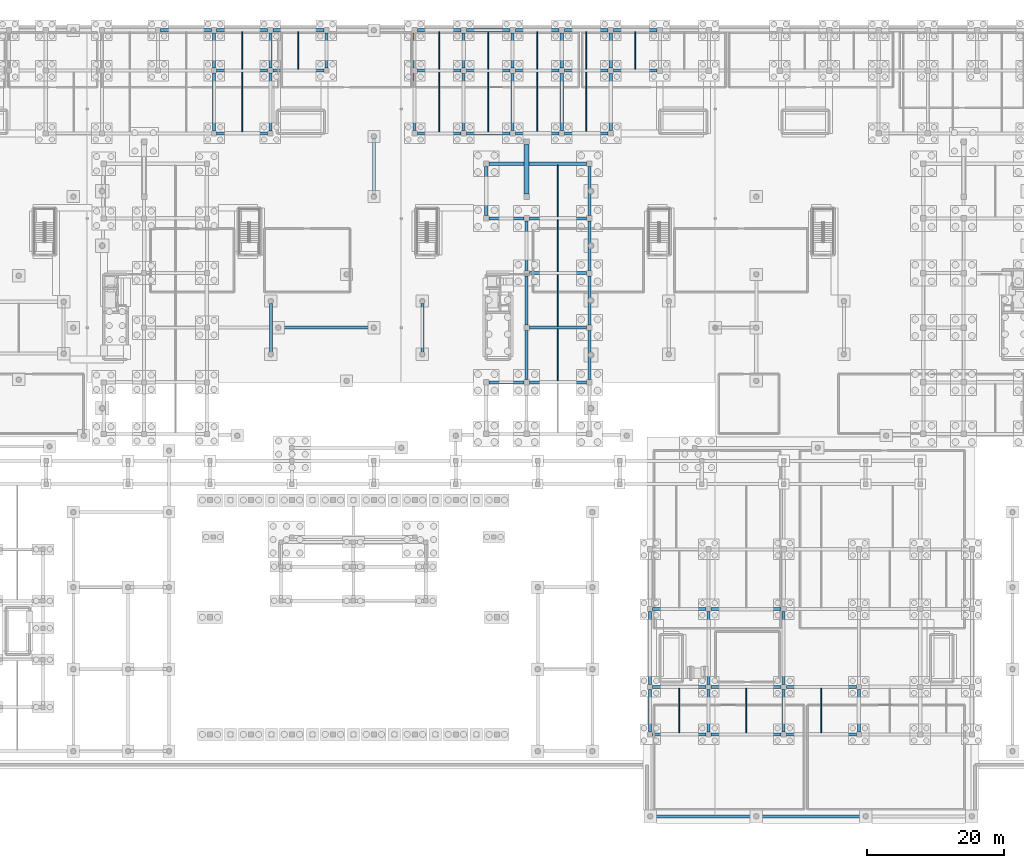
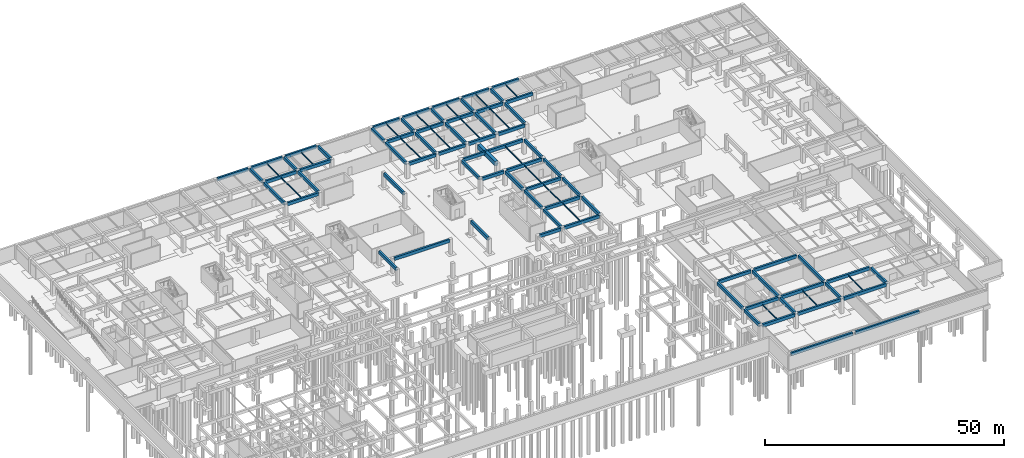
# One storey, part 16 of 35: 91 beams.
"""IFC4 building model written with IfcOpenShell, lengths in metres."""

import ifcopenshell
import ifcopenshell.guid

model = None  # the IFC model being written
_history = None  # IfcOwnerHistory: only IFC2X3 demands one
_inside = {}  # id of a spatial element -> (the spatial element, [elements in it])
_under = {}  # id of a project, library or spatial element -> (it, [spatial elements below it])
_declared = {}  # id of a project -> (the project, [libraries it declares])
_typed = {}  # id of a type object -> (the type object, [elements of that type])
_made_of = {}  # id of a material, layer set ... -> (it, [elements and type objects made of it])


def new_model(schema):
    """Start an empty IFC model of exactly this schema.

    Asked for "IFC4X3", IfcOpenShell would pick the latest addendum, in which some entities
    have other attributes; the version numbers below select the first issue.
    IFC2X3 requires an IfcOwnerHistory on every rooted entity: one is made here for all.
    """
    global model, _history
    if schema == "IFC4X3":
        model = ifcopenshell.file(schema_version=(4, 3, 0, 0))
    else:
        model = ifcopenshell.file(schema=schema)
    _inside.clear()
    _under.clear()
    _declared.clear()
    _typed.clear()
    _made_of.clear()
    _history = None
    if model.schema == "IFC2X3":
        org = make("IfcOrganization", Name="unknown")
        user = make(
            "IfcPersonAndOrganization",
            ThePerson=make("IfcPerson", FamilyName="unknown"),
            TheOrganization=org,
        )
        app = make(
            "IfcApplication",
            ApplicationDeveloper=org,
            Version="unknown",
            ApplicationFullName="unknown",
            ApplicationIdentifier="unknown",
        )
        _history = make(
            "IfcOwnerHistory",
            OwningUser=user,
            OwningApplication=app,
            ChangeAction="ADDED",
            CreationDate=0,
        )
    return model


def make(cls, **values):
    """One entity of the class cls with the attributes given. An attribute that is None is left unset."""
    return model.create_entity(
        cls, **{name: value for name, value in values.items() if value is not None}
    )


def rooted(cls, **values):
    """An entity with a GlobalId (a new one), such as an element, a storey or a relation."""
    return make(cls, GlobalId=ifcopenshell.guid.new(), OwnerHistory=_history, **values)


def si_unit(unit_type, name, prefix=None):
    """IfcSIUnit, for example si_unit("LENGTHUNIT", "METRE", prefix="MILLI")."""
    return make("IfcSIUnit", UnitType=unit_type, Prefix=prefix, Name=name)


def assignment(units):
    """IfcUnitAssignment: the units of a project."""
    return None if units is None else make("IfcUnitAssignment", Units=units)


def point(xyz):
    """IfcCartesianPoint."""
    return None if xyz is None else make("IfcCartesianPoint", Coordinates=xyz)


def direction(xyz):
    """IfcDirection."""
    return None if xyz is None else make("IfcDirection", DirectionRatios=xyz)


def frame(location, z_axis=None, x_axis=None):
    """IfcAxis2Placement3D, a coordinate frame: its origin and axes. An axis left out is left unset."""
    return make(
        "IfcAxis2Placement3D",
        Location=point(location),
        Axis=direction(z_axis),
        RefDirection=direction(x_axis),
    )


def frame_2d(location, x_axis=None):
    """IfcAxis2Placement2D, a coordinate frame in the plane: its origin and x axis."""
    return make(
        "IfcAxis2Placement2D", Location=point(location), RefDirection=direction(x_axis)
    )


def origin():
    """The frame at (0, 0, 0) with its axes left unset."""
    return frame((0.0, 0.0, 0.0))


def origin_2d():
    """The frame at (0, 0) in the plane with its x axis left unset."""
    return frame_2d((0.0, 0.0))


def place(relative_to, where):
    """IfcLocalPlacement: puts the frame where relative to a parent placement (None: the world)."""
    return make(
        "IfcLocalPlacement", PlacementRelTo=relative_to, RelativePlacement=where
    )


def context(
    kind, dimensions, precision=None, world=None, true_north=None, identifier=None
):
    """IfcGeometricRepresentationContext, for example the 3D "Model" context."""
    return make(
        "IfcGeometricRepresentationContext",
        ContextIdentifier=identifier,
        ContextType=kind,
        CoordinateSpaceDimension=dimensions,
        Precision=precision,
        WorldCoordinateSystem=world,
        TrueNorth=true_north,
    )


def subcontext(parent, identifier, kind, view, scale=None):
    """IfcGeometricRepresentationSubContext, for example "Body" below "Model"."""
    return make(
        "IfcGeometricRepresentationSubContext",
        ContextIdentifier=identifier,
        ContextType=kind,
        ParentContext=parent,
        TargetScale=scale,
        TargetView=view,
    )


def project(units=None, contexts=None):
    """IfcProject with its units and contexts."""
    return rooted(
        "IfcProject",
        Name="project",
        RepresentationContexts=contexts,
        UnitsInContext=assignment(units),
    )


def spatial(cls, under=None, at=None, **own):
    """A site, building, storey or space (cls), placed at a placement, below another one or the project."""
    s = rooted(cls, ObjectPlacement=at, **own)
    if under is not None:
        _under.setdefault(under.id(), (under, []))[1].append(s)
    return s


def profile(cls, at=None, kind="AREA", **sizes):
    """A parametric profile (cls). Its sizes go by their IFC names, for example OverallWidth=200.0."""
    return make(cls, ProfileType=kind, Position=at, **sizes)


def rectangle(**sizes):
    """IfcRectangleProfileDef."""
    return profile("IfcRectangleProfileDef", **sizes)


def i_section(**sizes):
    """IfcIShapeProfileDef."""
    return profile("IfcIShapeProfileDef", **sizes)


def extrude(swept, where, along, depth):
    """IfcExtrudedAreaSolid: the profile swept, set in the frame where, extruded along a direction by depth."""
    return make(
        "IfcExtrudedAreaSolid",
        SweptArea=swept,
        Position=where,
        ExtrudedDirection=direction(along),
        Depth=depth,
    )


def shape(context_of_items, identifier, shape_type, items):
    """IfcShapeRepresentation: the items that make up one representation, for example the "Body"."""
    return make(
        "IfcShapeRepresentation",
        ContextOfItems=context_of_items,
        RepresentationIdentifier=identifier,
        RepresentationType=shape_type,
        Items=items,
    )


def material(Name=None, Category=None):
    """IfcMaterial."""
    return make("IfcMaterial", Name=Name, Category=Category)


def material_profile(
    of_material, cross_section, Name=None, Category=None, Priority=None
):
    """IfcMaterialProfile: a cross section and its material."""
    return make(
        "IfcMaterialProfile",
        Name=Name,
        Material=of_material,
        Profile=cross_section,
        Priority=Priority,
        Category=Category,
    )


def profile_set(profiles, Name=None, composite=None):
    """IfcMaterialProfileSet."""
    return make(
        "IfcMaterialProfileSet",
        Name=Name,
        MaterialProfiles=profiles,
        CompositeProfile=composite,
    )


def made_of(thing, what):
    """Note that an element or type object is made of a material, layer set ...; save() writes the relation."""
    if what is not None:
        _made_of.setdefault(what.id(), (what, []))[1].append(thing)
    return thing


def type_object(cls, material=None, **own):
    """A type object (cls), such as IfcWallType, which elements share."""
    return made_of(rooted(cls, **own), material)


def element(
    cls,
    number,
    at=None,
    inside=None,
    cuts=None,
    type_object=None,
    material=None,
    context=None,
    identifier="Body",
    shape_type=None,
    held_by="IfcProductDefinitionShape",
    body=None,
    shapes=None,
    **own,
):
    """One element of the class cls, such as IfcWall. Its Tag is "e" and its number.

    at: its placement. inside: the storey or other place that contains it. cuts: it is an
    opening in that element (IfcRelVoidsElement). A single representation is given by context,
    identifier, shape_type and body (its items); several are given by shapes. held_by: the class
    of the entity that holds the representations. save() writes the other relations.
    """
    e = rooted(cls, Tag="e%d" % number, ObjectPlacement=at, **own)
    if body is not None:
        shapes = [shape(context, identifier, shape_type, body)]
    if shapes is not None:
        e.Representation = make(held_by, Representations=shapes)
    if inside is not None:
        _inside.setdefault(inside.id(), (inside, []))[1].append(e)
    if cuts is not None:
        rooted(
            "IfcRelVoidsElement", RelatingBuildingElement=cuts, RelatedOpeningElement=e
        )
    if type_object is not None:
        _typed.setdefault(type_object.id(), (type_object, []))[1].append(e)
    return made_of(e, material)


def aggregate(whole, parts):
    """IfcRelAggregates: a whole, such as a stair, and the parts it consists of."""
    return rooted("IfcRelAggregates", RelatingObject=whole, RelatedObjects=parts)


def save(model, path):
    """Write the relations noted so far, then the file.

    IfcRelAggregates (storeys below a building ...), IfcRelContainedInSpatialStructure (elements
    in a storey), IfcRelDefinesByType, IfcRelAssociatesMaterial and IfcRelDeclares: one each for
    every whole, place, type object, material and project.
    """
    for whole, parts in _under.values():
        aggregate(whole, parts)
    for where, things in _inside.values():
        rooted(
            "IfcRelContainedInSpatialStructure",
            RelatedElements=things,
            RelatingStructure=where,
        )
    for kind, things in _typed.values():
        rooted("IfcRelDefinesByType", RelatedObjects=things, RelatingType=kind)
    for what, things in _made_of.values():
        rooted("IfcRelAssociatesMaterial", RelatedObjects=things, RelatingMaterial=what)
    for by, libraries in _declared.values():
        rooted("IfcRelDeclares", RelatingContext=by, RelatedDefinitions=libraries)
    model.write(path)


model = new_model("IFC4")

# Units and contexts
model_context = context("Model", 3, precision=1e-05, world=origin(), true_north=direction((0.0, 1.0)))
body_context = subcontext(model_context, "Body", "Model", "MODEL_VIEW")
ifc_project = project(units=[si_unit("LENGTHUNIT", "METRE"), si_unit("AREAUNIT", "SQUARE_METRE"), si_unit("VOLUMEUNIT", "CUBIC_METRE"), si_unit("PLANEANGLEUNIT", "RADIAN"), si_unit("MASSUNIT", "GRAM", prefix="KILO")], contexts=[model_context])

# Site, building, storey
site_placement = place(None, origin())
site = spatial("IfcSite", under=ifc_project, at=site_placement, CompositionType="ELEMENT")
building_placement = place(site_placement, origin())
building = spatial("IfcBuilding", under=site, at=building_placement, Name="Keldmere Railside Commons", CompositionType="ELEMENT")
storey_placement = place(building_placement, frame((0.0, 0.0, -3.840087890625)))
storey = spatial("IfcBuildingStorey", under=building, at=storey_placement, Name="B1", CompositionType="ELEMENT", Elevation=-3.840087890625)

# Beams
ifc_material_1 = material(Name="Concrete H-35 (C35/45)", Category="concrete")
ifc_material_profile_1 = material_profile(ifc_material_1, rectangle(XDim=0.449951171875, YDim=0.800048828125, at=origin_2d()), Name="RC-450x800")
ifc_profile_set_1 = profile_set([ifc_material_profile_1], Name="Concrete H-35 (C35/45)")
beam_type_1 = type_object("IfcBeamType", Name="Basement & Podium RC Girder 450x800", PredefinedType="BEAM", material=ifc_profile_set_1)
beam_1_placement = place(storey_placement, frame((128.77490234375, 0.449951171875, 3.440185546875), z_axis=(1.0, 0.0, 0.0), x_axis=(0.0, 1.0, 0.0)))
element("IfcBeam", 1, at=beam_1_placement, inside=storey, type_object=beam_type_1, Name="BG-1 BM-B1-0006", PredefinedType="BEAM", context=body_context, shape_type="SweptSolid", body=[
    extrude(rectangle(XDim=0.449951171875, YDim=0.800048828125, at=origin_2d()), origin(), (0.0, 0.0, 1.0), 14.900146484375),
])
beam_2_placement = place(storey_placement, frame((144.324951171875, 0.449951171875, 3.440185546875), z_axis=(1.0, 0.0, 0.0), x_axis=(0.0, 1.0, 0.0)))
element("IfcBeam", 2, at=beam_2_placement, inside=storey, type_object=beam_type_1, Name="BG-1 BM-B1-0007", PredefinedType="BEAM", context=body_context, shape_type="SweptSolid", body=[
    extrude(rectangle(XDim=0.449951171875, YDim=0.800048828125, at=origin_2d()), origin(), (0.0, 0.0, 1.0), 15.35009765625),
])
beam_3_placement = place(storey_placement, frame((128.824951171875, 12.449951171875, 3.440185546875), z_axis=(1.0, 0.0, 0.0), x_axis=(0.0, 1.0, 0.0)))
element("IfcBeam", 3, at=beam_3_placement, inside=storey, type_object=beam_type_1, Name="BG-1 BM-B1-0015", PredefinedType="BEAM", context=body_context, shape_type="SweptSolid", body=[
    extrude(rectangle(XDim=0.449951171875, YDim=0.800048828125, at=origin_2d()), origin(), (0.0, 0.0, 1.0), 7.800048828125),
])
for number, where, z_axis, x_axis, name in (
    (4, (137.375, 12.449951171875, 3.440185546875), (1.0, 0.0, 0.0), (0.0, 1.0, 0.0), "BG-1 BM-B1-0016"),
    (5, (148.375, 12.449951171875, 3.440185546875), (1.0, 0.0, 0.0), (0.0, 1.0, 0.0), "BG-1 BM-B1-0017"),
):
    element("IfcBeam", number, at=place(storey_placement, frame(where, z_axis=z_axis, x_axis=x_axis)), inside=storey, type_object=beam_type_1, Name=name, PredefinedType="BEAM", context=body_context, shape_type="SweptSolid", body=[
        extrude(rectangle(XDim=0.449951171875, YDim=0.800048828125, at=origin_2d()), origin(), (0.0, 0.0, 1.0), 10.25),
    ])
beam_4_placement = place(storey_placement, frame((128.824951171875, 19.39990234375, 3.440185546875), z_axis=(1.0, 0.0, 0.0), x_axis=(0.0, 1.0, 0.0)))
element("IfcBeam", 6, at=beam_4_placement, inside=storey, type_object=beam_type_1, Name="BG-1 BM-B1-0024", PredefinedType="BEAM", context=body_context, shape_type="SweptSolid", body=[
    extrude(rectangle(XDim=0.449951171875, YDim=0.800048828125, at=origin_2d()), origin(), (0.0, 0.0, 1.0), 7.800048828125),
])
for number, where, z_axis, x_axis, name in (
    (7, (137.375, 19.39990234375, 3.440185546875), (1.0, 0.0, 0.0), (0.0, 1.0, 0.0), "BG-1 BM-B1-0025"),
    (8, (148.375, 19.39990234375, 3.440185546875), (1.0, 0.0, 0.0), (0.0, 1.0, 0.0), "BG-1 BM-B1-0026"),
):
    element("IfcBeam", number, at=place(storey_placement, frame(where, z_axis=z_axis, x_axis=x_axis)), inside=storey, type_object=beam_type_1, Name=name, PredefinedType="BEAM", context=body_context, shape_type="SweptSolid", body=[
        extrude(rectangle(XDim=0.449951171875, YDim=0.800048828125, at=origin_2d()), origin(), (0.0, 0.0, 1.0), 10.25),
    ])
beam_5_placement = place(storey_placement, frame((128.824951171875, 30.800048828125, 3.440185546875), z_axis=(1.0, 0.0, 0.0), x_axis=(0.0, 1.0, 0.0)))
element("IfcBeam", 9, at=beam_5_placement, inside=storey, type_object=beam_type_1, Name="BG-1 BM-B1-0037", PredefinedType="BEAM", context=body_context, shape_type="SweptSolid", body=[
    extrude(rectangle(XDim=0.449951171875, YDim=0.800048828125, at=origin_2d()), origin(), (0.0, 0.0, 1.0), 7.800048828125),
])
beam_6_placement = place(storey_placement, frame((137.375, 30.800048828125, 3.440185546875), z_axis=(1.0, 0.0, 0.0), x_axis=(0.0, 1.0, 0.0)))
element("IfcBeam", 10, at=beam_6_placement, inside=storey, type_object=beam_type_1, Name="BG-1 BM-B1-0038", PredefinedType="BEAM", context=body_context, shape_type="SweptSolid", body=[
    extrude(rectangle(XDim=0.449951171875, YDim=0.800048828125, at=origin_2d()), origin(), (0.0, 0.0, 1.0), 10.25),
])
beam_7_placement = place(storey_placement, frame((104.85009765625, 64.0, 3.440185546875), z_axis=(1.0, 0.0, 0.0), x_axis=(0.0, 1.0, 0.0)))
element("IfcBeam", 11, at=beam_7_placement, inside=storey, type_object=beam_type_1, Name="BG-1 BM-B1-0107", PredefinedType="BEAM", context=body_context, shape_type="SweptSolid", body=[
    extrude(rectangle(XDim=0.449951171875, YDim=0.800048828125, at=origin_2d()), origin(), (0.0, 0.0, 1.0), 5.099853515625),
])
beam_8_placement = place(storey_placement, frame((110.75, 64.0, 3.440185546875), z_axis=(1.0, 0.0, 0.0), x_axis=(0.0, 1.0, 0.0)))
element("IfcBeam", 12, at=beam_8_placement, inside=storey, type_object=beam_type_1, Name="BG-1 BM-B1-0108", PredefinedType="BEAM", context=body_context, shape_type="SweptSolid", body=[
    extrude(rectangle(XDim=0.449951171875, YDim=0.800048828125, at=origin_2d()), origin(), (0.0, 0.0, 1.0), 8.39990234375),
])
beam_9_placement = place(storey_placement, frame((74.324951171875, 72.0, 3.440185546875), z_axis=(1.0, 0.0, 0.0), x_axis=(0.0, 1.0, 0.0)))
element("IfcBeam", 13, at=beam_9_placement, inside=storey, type_object=beam_type_1, Name="BG-1 BM-B1-0114", PredefinedType="BEAM", context=body_context, shape_type="SweptSolid", body=[
    extrude(rectangle(XDim=0.449951171875, YDim=0.800048828125, at=origin_2d()), origin(), (0.0, 0.0, 1.0), 13.35009765625),
])
for number, where, z_axis, x_axis, name in (
    (14, (110.75, 72.0, 3.440185546875), (1.0, 0.0, 0.0), (0.0, 1.0, 0.0), "BG-1 BM-B1-0115"),
    (15, (110.75, 80.0, 3.440185546875), (1.0, 0.0, 0.0), (0.0, 1.0, 0.0), "BG-1 BM-B1-0121"),
):
    element("IfcBeam", number, at=place(storey_placement, frame(where, z_axis=z_axis, x_axis=x_axis)), inside=storey, type_object=beam_type_1, Name=name, PredefinedType="BEAM", context=body_context, shape_type="SweptSolid", body=[
        extrude(rectangle(XDim=0.449951171875, YDim=0.800048828125, at=origin_2d()), origin(), (0.0, 0.0, 1.0), 8.39990234375),
    ])
beam_10_placement = place(storey_placement, frame((104.85009765625, 88.0, 3.440185546875), z_axis=(1.0, 0.0, 0.0), x_axis=(0.0, 1.0, 0.0)))
element("IfcBeam", 16, at=beam_10_placement, inside=storey, type_object=beam_type_1, Name="BG-1 BM-B1-0127", PredefinedType="BEAM", context=body_context, shape_type="SweptSolid", body=[
    extrude(rectangle(XDim=0.449951171875, YDim=0.800048828125, at=origin_2d()), origin(), (0.0, 0.0, 1.0), 5.099853515625),
])
beam_11_placement = place(storey_placement, frame((110.75, 88.0, 3.440185546875), z_axis=(1.0, 0.0, 0.0), x_axis=(0.0, 1.0, 0.0)))
element("IfcBeam", 17, at=beam_11_placement, inside=storey, type_object=beam_type_1, Name="BG-1 BM-B1-0128", PredefinedType="BEAM", context=body_context, shape_type="SweptSolid", body=[
    extrude(rectangle(XDim=0.449951171875, YDim=0.800048828125, at=origin_2d()), origin(), (0.0, 0.0, 1.0), 8.39990234375),
])
beam_12_placement = place(storey_placement, frame((104.85009765625, 96.0, 3.440185546875), z_axis=(1.0, 0.0, 0.0), x_axis=(0.0, 1.0, 0.0)))
element("IfcBeam", 18, at=beam_12_placement, inside=storey, type_object=beam_type_1, Name="BG-1 BM-B1-0133", PredefinedType="BEAM", context=body_context, shape_type="SweptSolid", body=[
    extrude(rectangle(XDim=0.449951171875, YDim=0.800048828125, at=origin_2d()), origin(), (0.0, 0.0, 1.0), 14.2998046875),
])
beam_13_placement = place(storey_placement, frame((64.985107421875, 100.449951171875, 3.440185546875), z_axis=(1.0, 0.0, 0.0), x_axis=(0.0, 1.0, 0.0)))
element("IfcBeam", 19, at=beam_13_placement, inside=storey, type_object=beam_type_1, Name="BG-1 BM-B1-0138", PredefinedType="BEAM", context=body_context, shape_type="SweptSolid", body=[
    extrude(rectangle(XDim=0.449951171875, YDim=0.800048828125, at=origin_2d()), origin(), (0.0, 0.0, 1.0), 7.469970703125),
])
beam_14_placement = place(storey_placement, frame((94.35009765625, 100.449951171875, 3.440185546875), z_axis=(1.0, 0.0, 0.0), x_axis=(0.0, 1.0, 0.0)))
element("IfcBeam", 20, at=beam_14_placement, inside=storey, type_object=beam_type_1, Name="BG-1 BM-B1-0139", PredefinedType="BEAM", context=body_context, shape_type="SweptSolid", body=[
    extrude(rectangle(XDim=0.449951171875, YDim=0.800048828125, at=origin_2d()), origin(), (0.0, 0.0, 1.0), 6.3828125),
])
beam_15_placement = place(storey_placement, frame((101.532958984375, 100.449951171875, 3.440185546875), z_axis=(1.0, 0.0, 0.0), x_axis=(0.0, 1.0, 0.0)))
element("IfcBeam", 21, at=beam_15_placement, inside=storey, type_object=beam_type_1, Name="BG-1 BM-B1-0140", PredefinedType="BEAM", context=body_context, shape_type="SweptSolid", body=[
    extrude(rectangle(XDim=0.449951171875, YDim=0.800048828125, at=origin_2d()), origin(), (0.0, 0.0, 1.0), 6.384033203125),
])
for number, where, z_axis, x_axis, name in (
    (22, (108.717041015625, 100.449951171875, 3.440185546875), (1.0, 0.0, 0.0), (0.0, 1.0, 0.0), "BG-1 BM-B1-0141"),
    (23, (115.89990234375, 100.449951171875, 3.440185546875), (1.0, 0.0, 0.0), (0.0, 1.0, 0.0), "BG-1 BM-B1-0142"),
):
    element("IfcBeam", number, at=place(storey_placement, frame(where, z_axis=z_axis, x_axis=x_axis)), inside=storey, type_object=beam_type_1, Name=name, PredefinedType="BEAM", context=body_context, shape_type="SweptSolid", body=[
        extrude(rectangle(XDim=0.449951171875, YDim=0.800048828125, at=origin_2d()), origin(), (0.0, 0.0, 1.0), 6.383056640625),
    ])
for number, where, z_axis, x_axis, name in (
    (24, (64.985107421875, 109.64990234375, 3.440185546875), (1.0, 0.0, 0.0), (0.0, 1.0, 0.0), "BG-1 BM-B1-0151"),
    (25, (73.205078125, 109.64990234375, 3.440185546875), (1.0, 0.0, 0.0), (0.0, 1.0, 0.0), "BG-1 BM-B1-0152"),
):
    element("IfcBeam", number, at=place(storey_placement, frame(where, z_axis=z_axis, x_axis=x_axis)), inside=storey, type_object=beam_type_1, Name=name, PredefinedType="BEAM", context=body_context, shape_type="SweptSolid", body=[
        extrude(rectangle(XDim=0.449951171875, YDim=0.800048828125, at=origin_2d()), origin(), (0.0, 0.0, 1.0), 7.469970703125),
    ])
beam_16_placement = place(storey_placement, frame((94.35009765625, 109.64990234375, 3.440185546875), z_axis=(1.0, 0.0, 0.0), x_axis=(0.0, 1.0, 0.0)))
element("IfcBeam", 26, at=beam_16_placement, inside=storey, type_object=beam_type_1, Name="BG-1 BM-B1-0153", PredefinedType="BEAM", context=body_context, shape_type="SweptSolid", body=[
    extrude(rectangle(XDim=0.449951171875, YDim=0.800048828125, at=origin_2d()), origin(), (0.0, 0.0, 1.0), 6.3828125),
])
beam_17_placement = place(storey_placement, frame((101.532958984375, 109.64990234375, 3.440185546875), z_axis=(1.0, 0.0, 0.0), x_axis=(0.0, 1.0, 0.0)))
element("IfcBeam", 27, at=beam_17_placement, inside=storey, type_object=beam_type_1, Name="BG-1 BM-B1-0154", PredefinedType="BEAM", context=body_context, shape_type="SweptSolid", body=[
    extrude(rectangle(XDim=0.449951171875, YDim=0.800048828125, at=origin_2d()), origin(), (0.0, 0.0, 1.0), 6.384033203125),
])
for number, where, z_axis, x_axis, name in (
    (28, (108.717041015625, 109.64990234375, 3.440185546875), (1.0, 0.0, 0.0), (0.0, 1.0, 0.0), "BG-1 BM-B1-0155"),
    (29, (115.89990234375, 109.64990234375, 3.440185546875), (1.0, 0.0, 0.0), (0.0, 1.0, 0.0), "BG-1 BM-B1-0156"),
):
    element("IfcBeam", number, at=place(storey_placement, frame(where, z_axis=z_axis, x_axis=x_axis)), inside=storey, type_object=beam_type_1, Name=name, PredefinedType="BEAM", context=body_context, shape_type="SweptSolid", body=[
        extrude(rectangle(XDim=0.449951171875, YDim=0.800048828125, at=origin_2d()), origin(), (0.0, 0.0, 1.0), 6.383056640625),
    ])
beam_18_placement = place(storey_placement, frame((123.0830078125, 109.64990234375, 3.440185546875), z_axis=(1.0, 0.0, 0.0), x_axis=(0.0, 1.0, 0.0)))
element("IfcBeam", 30, at=beam_18_placement, inside=storey, type_object=beam_type_1, Name="BG-1 BM-B1-0157", PredefinedType="BEAM", context=body_context, shape_type="SweptSolid", body=[
    extrude(rectangle(XDim=0.449951171875, YDim=0.800048828125, at=origin_2d()), origin(), (0.0, 0.0, 1.0), 6.384033203125),
])
beam_19_placement = place(storey_placement, frame((56.764892578125, 115.550048828125, 3.440185546875), z_axis=(1.0, 0.0, 0.0), x_axis=(0.0, 1.0, 0.0)))
element("IfcBeam", 31, at=beam_19_placement, inside=storey, type_object=beam_type_1, Name="BG-1 BM-B1-0168", PredefinedType="BEAM", context=body_context, shape_type="SweptSolid", body=[
    extrude(rectangle(XDim=0.449951171875, YDim=0.800048828125, at=origin_2d()), origin(), (0.0, 0.0, 1.0), 7.47021484375),
])
for number, where, z_axis, x_axis, name in (
    (32, (64.985107421875, 115.550048828125, 3.440185546875), (1.0, 0.0, 0.0), (0.0, 1.0, 0.0), "BG-1 BM-B1-0169"),
    (33, (73.205078125, 115.550048828125, 3.440185546875), (1.0, 0.0, 0.0), (0.0, 1.0, 0.0), "BG-1 BM-B1-0170"),
):
    element("IfcBeam", number, at=place(storey_placement, frame(where, z_axis=z_axis, x_axis=x_axis)), inside=storey, type_object=beam_type_1, Name=name, PredefinedType="BEAM", context=body_context, shape_type="SweptSolid", body=[
        extrude(rectangle(XDim=0.449951171875, YDim=0.800048828125, at=origin_2d()), origin(), (0.0, 0.0, 1.0), 7.469970703125),
    ])
beam_20_placement = place(storey_placement, frame((94.35009765625, 115.550048828125, 3.440185546875), z_axis=(1.0, 0.0, 0.0), x_axis=(0.0, 1.0, 0.0)))
element("IfcBeam", 34, at=beam_20_placement, inside=storey, type_object=beam_type_1, Name="BG-1 BM-B1-0171", PredefinedType="BEAM", context=body_context, shape_type="SweptSolid", body=[
    extrude(rectangle(XDim=0.449951171875, YDim=0.800048828125, at=origin_2d()), origin(), (0.0, 0.0, 1.0), 6.3828125),
])
beam_21_placement = place(storey_placement, frame((101.532958984375, 115.550048828125, 3.440185546875), z_axis=(1.0, 0.0, 0.0), x_axis=(0.0, 1.0, 0.0)))
element("IfcBeam", 35, at=beam_21_placement, inside=storey, type_object=beam_type_1, Name="BG-1 BM-B1-0172", PredefinedType="BEAM", context=body_context, shape_type="SweptSolid", body=[
    extrude(rectangle(XDim=0.449951171875, YDim=0.800048828125, at=origin_2d()), origin(), (0.0, 0.0, 1.0), 6.384033203125),
])
for number, where, z_axis, x_axis, name in (
    (36, (108.717041015625, 115.550048828125, 3.440185546875), (1.0, 0.0, 0.0), (0.0, 1.0, 0.0), "BG-1 BM-B1-0173"),
    (37, (115.89990234375, 115.550048828125, 3.440185546875), (1.0, 0.0, 0.0), (0.0, 1.0, 0.0), "BG-1 BM-B1-0174"),
):
    element("IfcBeam", number, at=place(storey_placement, frame(where, z_axis=z_axis, x_axis=x_axis)), inside=storey, type_object=beam_type_1, Name=name, PredefinedType="BEAM", context=body_context, shape_type="SweptSolid", body=[
        extrude(rectangle(XDim=0.449951171875, YDim=0.800048828125, at=origin_2d()), origin(), (0.0, 0.0, 1.0), 6.383056640625),
    ])
beam_22_placement = place(storey_placement, frame((123.0830078125, 115.550048828125, 3.440185546875), z_axis=(1.0, 0.0, 0.0), x_axis=(0.0, 1.0, 0.0)))
element("IfcBeam", 38, at=beam_22_placement, inside=storey, type_object=beam_type_1, Name="BG-1 BM-B1-0175", PredefinedType="BEAM", context=body_context, shape_type="SweptSolid", body=[
    extrude(rectangle(XDim=0.449951171875, YDim=0.800048828125, at=origin_2d()), origin(), (0.0, 0.0, 1.0), 6.384033203125),
])
beam_23_placement = place(storey_placement, frame((64.610107421875, 100.824951171875, 3.440185546875), z_axis=(0.0, 1.0, 0.0), x_axis=(-1.0, 0.0, 0.0)))
element("IfcBeam", 39, at=beam_23_placement, inside=storey, type_object=beam_type_1, Name="BG-1 BM-B1-0250", PredefinedType="BEAM", context=body_context, shape_type="SweptSolid", body=[
    extrude(rectangle(XDim=0.449951171875, YDim=0.800048828125, at=origin_2d()), origin(), (0.0, 0.0, 1.0), 8.449951171875),
])
beam_24_placement = place(storey_placement, frame((64.610107421875, 110.02490234375, 3.440185546875), z_axis=(0.0, 1.0, 0.0), x_axis=(-1.0, 0.0, 0.0)))
element("IfcBeam", 40, at=beam_24_placement, inside=storey, type_object=beam_type_1, Name="BG-1 BM-B1-0251", PredefinedType="BEAM", context=body_context, shape_type="SweptSolid", body=[
    extrude(rectangle(XDim=0.449951171875, YDim=0.800048828125, at=origin_2d()), origin(), (0.0, 0.0, 1.0), 5.150146484375),
])
beam_25_placement = place(storey_placement, frame((72.830078125, 100.824951171875, 3.440185546875), z_axis=(0.0, 1.0, 0.0), x_axis=(-1.0, 0.0, 0.0)))
element("IfcBeam", 41, at=beam_25_placement, inside=storey, type_object=beam_type_1, Name="BG-1 BM-B1-0252", PredefinedType="BEAM", context=body_context, shape_type="SweptSolid", body=[
    extrude(rectangle(XDim=0.449951171875, YDim=0.800048828125, at=origin_2d()), origin(), (0.0, 0.0, 1.0), 8.449951171875),
])
beam_26_placement = place(storey_placement, frame((72.830078125, 110.02490234375, 3.440185546875), z_axis=(0.0, 1.0, 0.0), x_axis=(-1.0, 0.0, 0.0)))
element("IfcBeam", 42, at=beam_26_placement, inside=storey, type_object=beam_type_1, Name="BG-1 BM-B1-0253", PredefinedType="BEAM", context=body_context, shape_type="SweptSolid", body=[
    extrude(rectangle(XDim=0.449951171875, YDim=0.800048828125, at=origin_2d()), origin(), (0.0, 0.0, 1.0), 5.150146484375),
])
beam_27_placement = place(storey_placement, frame((72.9150390625, 68.425048828125, 3.440185546875), z_axis=(0.0, 1.0, 0.0), x_axis=(-1.0, 0.0, 0.0)))
element("IfcBeam", 43, at=beam_27_placement, inside=storey, type_object=beam_type_1, Name="BG-1 BM-B1-0254", PredefinedType="BEAM", context=body_context, shape_type="SweptSolid", body=[
    extrude(rectangle(XDim=0.449951171875, YDim=0.800048828125, at=origin_2d()), origin(), (0.0, 0.0, 1.0), 7.14990234375),
])
beam_28_placement = place(storey_placement, frame((81.050048828125, 110.02490234375, 3.440185546875), z_axis=(0.0, 1.0, 0.0), x_axis=(-1.0, 0.0, 0.0)))
element("IfcBeam", 44, at=beam_28_placement, inside=storey, type_object=beam_type_1, Name="BG-1 BM-B1-0258", PredefinedType="BEAM", context=body_context, shape_type="SweptSolid", body=[
    extrude(rectangle(XDim=0.449951171875, YDim=0.800048828125, at=origin_2d()), origin(), (0.0, 0.0, 1.0), 5.150146484375),
])
beam_29_placement = place(storey_placement, frame((88.0, 91.52490234375, 3.440185546875), z_axis=(0.0, 1.0, 0.0), x_axis=(-1.0, 0.0, 0.0)))
element("IfcBeam", 45, at=beam_29_placement, inside=storey, type_object=beam_type_1, Name="BG-1 BM-B1-0262", PredefinedType="BEAM", context=body_context, shape_type="SweptSolid", body=[
    extrude(rectangle(XDim=0.449951171875, YDim=0.800048828125, at=origin_2d()), origin(), (0.0, 0.0, 1.0), 8.150146484375),
])
beam_30_placement = place(storey_placement, frame((93.949951171875, 100.85009765625, 3.440185546875), z_axis=(0.0, 1.0, 0.0), x_axis=(-1.0, 0.0, 0.0)))
element("IfcBeam", 46, at=beam_30_placement, inside=storey, type_object=beam_type_1, Name="BG-1 BM-B1-0263", PredefinedType="BEAM", context=body_context, shape_type="SweptSolid", body=[
    extrude(rectangle(XDim=0.449951171875, YDim=0.800048828125, at=origin_2d()), origin(), (0.0, 0.0, 1.0), 8.39990234375),
])
beam_31_placement = place(storey_placement, frame((93.949951171875, 110.050048828125, 3.440185546875), z_axis=(0.0, 1.0, 0.0), x_axis=(-1.0, 0.0, 0.0)))
element("IfcBeam", 47, at=beam_31_placement, inside=storey, type_object=beam_type_1, Name="BG-1 BM-B1-0264", PredefinedType="BEAM", context=body_context, shape_type="SweptSolid", body=[
    extrude(rectangle(XDim=0.449951171875, YDim=0.800048828125, at=origin_2d()), origin(), (0.0, 0.0, 1.0), 5.099853515625),
])
beam_32_placement = place(storey_placement, frame((95.0849609375, 68.425048828125, 3.440185546875), z_axis=(0.0, 1.0, 0.0), x_axis=(-1.0, 0.0, 0.0)))
element("IfcBeam", 48, at=beam_32_placement, inside=storey, type_object=beam_type_1, Name="BG-1 BM-B1-0265", PredefinedType="BEAM", context=body_context, shape_type="SweptSolid", body=[
    extrude(rectangle(XDim=0.449951171875, YDim=0.800048828125, at=origin_2d()), origin(), (0.0, 0.0, 1.0), 7.14990234375),
])
beam_33_placement = place(storey_placement, frame((101.133056640625, 100.85009765625, 3.440185546875), z_axis=(0.0, 1.0, 0.0), x_axis=(-1.0, 0.0, 0.0)))
element("IfcBeam", 49, at=beam_33_placement, inside=storey, type_object=beam_type_1, Name="BG-1 BM-B1-0269", PredefinedType="BEAM", context=body_context, shape_type="SweptSolid", body=[
    extrude(rectangle(XDim=0.449951171875, YDim=0.800048828125, at=origin_2d()), origin(), (0.0, 0.0, 1.0), 8.39990234375),
])
beam_34_placement = place(storey_placement, frame((101.133056640625, 110.050048828125, 3.440185546875), z_axis=(0.0, 1.0, 0.0), x_axis=(-1.0, 0.0, 0.0)))
element("IfcBeam", 50, at=beam_34_placement, inside=storey, type_object=beam_type_1, Name="BG-1 BM-B1-0270", PredefinedType="BEAM", context=body_context, shape_type="SweptSolid", body=[
    extrude(rectangle(XDim=0.449951171875, YDim=0.800048828125, at=origin_2d()), origin(), (0.0, 0.0, 1.0), 5.099853515625),
])
beam_35_placement = place(storey_placement, frame((104.449951171875, 88.39990234375, 3.440185546875), z_axis=(0.0, 1.0, 0.0), x_axis=(-1.0, 0.0, 0.0)))
element("IfcBeam", 51, at=beam_35_placement, inside=storey, type_object=beam_type_1, Name="BG-1 BM-B1-0272", PredefinedType="BEAM", context=body_context, shape_type="SweptSolid", body=[
    extrude(rectangle(XDim=0.449951171875, YDim=0.800048828125, at=origin_2d()), origin(), (0.0, 0.0, 1.0), 7.2001953125),
])
beam_36_placement = place(storey_placement, frame((108.31689453125, 100.85009765625, 3.440185546875), z_axis=(0.0, 1.0, 0.0), x_axis=(-1.0, 0.0, 0.0)))
element("IfcBeam", 52, at=beam_36_placement, inside=storey, type_object=beam_type_1, Name="BG-1 BM-B1-0273", PredefinedType="BEAM", context=body_context, shape_type="SweptSolid", body=[
    extrude(rectangle(XDim=0.449951171875, YDim=0.800048828125, at=origin_2d()), origin(), (0.0, 0.0, 1.0), 8.39990234375),
])
beam_37_placement = place(storey_placement, frame((108.31689453125, 110.050048828125, 3.440185546875), z_axis=(0.0, 1.0, 0.0), x_axis=(-1.0, 0.0, 0.0)))
element("IfcBeam", 53, at=beam_37_placement, inside=storey, type_object=beam_type_1, Name="BG-1 BM-B1-0274", PredefinedType="BEAM", context=body_context, shape_type="SweptSolid", body=[
    extrude(rectangle(XDim=0.449951171875, YDim=0.800048828125, at=origin_2d()), origin(), (0.0, 0.0, 1.0), 5.099853515625),
])
for number, where, z_axis, x_axis, name in (
    (54, (110.35009765625, 64.39990234375, 3.440185546875), (0.0, 1.0, 0.0), (-1.0, 0.0, 0.0), "BG-1 BM-B1-0276"),
    (55, (110.35009765625, 72.39990234375, 3.440185546875), (0.0, 1.0, 0.0), (-1.0, 0.0, 0.0), "BG-1 BM-B1-0277"),
    (56, (110.35009765625, 80.39990234375, 3.440185546875), (0.0, 1.0, 0.0), (-1.0, 0.0, 0.0), "BG-1 BM-B1-0278"),
):
    element("IfcBeam", number, at=place(storey_placement, frame(where, z_axis=z_axis, x_axis=x_axis)), inside=storey, type_object=beam_type_1, Name=name, PredefinedType="BEAM", context=body_context, shape_type="SweptSolid", body=[
        extrude(rectangle(XDim=0.449951171875, YDim=0.800048828125, at=origin_2d()), origin(), (0.0, 0.0, 1.0), 7.2001953125),
    ])
beam_38_placement = place(storey_placement, frame((115.5, 100.85009765625, 3.440185546875), z_axis=(0.0, 1.0, 0.0), x_axis=(-1.0, 0.0, 0.0)))
element("IfcBeam", 57, at=beam_38_placement, inside=storey, type_object=beam_type_1, Name="BG-1 BM-B1-0282", PredefinedType="BEAM", context=body_context, shape_type="SweptSolid", body=[
    extrude(rectangle(XDim=0.449951171875, YDim=0.800048828125, at=origin_2d()), origin(), (0.0, 0.0, 1.0), 8.39990234375),
])
beam_39_placement = place(storey_placement, frame((115.5, 110.050048828125, 3.440185546875), z_axis=(0.0, 1.0, 0.0), x_axis=(-1.0, 0.0, 0.0)))
element("IfcBeam", 58, at=beam_39_placement, inside=storey, type_object=beam_type_1, Name="BG-1 BM-B1-0283", PredefinedType="BEAM", context=body_context, shape_type="SweptSolid", body=[
    extrude(rectangle(XDim=0.449951171875, YDim=0.800048828125, at=origin_2d()), origin(), (0.0, 0.0, 1.0), 5.099853515625),
])
for number, where, z_axis, x_axis, name in (
    (59, (119.550048828125, 64.39990234375, 3.440185546875), (0.0, 1.0, 0.0), (-1.0, 0.0, 0.0), "BG-1 BM-B1-0285"),
    (60, (119.550048828125, 72.39990234375, 3.440185546875), (0.0, 1.0, 0.0), (-1.0, 0.0, 0.0), "BG-1 BM-B1-0286"),
    (61, (119.550048828125, 80.39990234375, 3.440185546875), (0.0, 1.0, 0.0), (-1.0, 0.0, 0.0), "BG-1 BM-B1-0287"),
    (62, (119.550048828125, 88.39990234375, 3.440185546875), (0.0, 1.0, 0.0), (-1.0, 0.0, 0.0), "BG-1 BM-B1-0288"),
):
    element("IfcBeam", number, at=place(storey_placement, frame(where, z_axis=z_axis, x_axis=x_axis)), inside=storey, type_object=beam_type_1, Name=name, PredefinedType="BEAM", context=body_context, shape_type="SweptSolid", body=[
        extrude(rectangle(XDim=0.449951171875, YDim=0.800048828125, at=origin_2d()), origin(), (0.0, 0.0, 1.0), 7.2001953125),
    ])
beam_40_placement = place(storey_placement, frame((122.68310546875, 100.85009765625, 3.440185546875), z_axis=(0.0, 1.0, 0.0), x_axis=(-1.0, 0.0, 0.0)))
element("IfcBeam", 63, at=beam_40_placement, inside=storey, type_object=beam_type_1, Name="BG-1 BM-B1-0292", PredefinedType="BEAM", context=body_context, shape_type="SweptSolid", body=[
    extrude(rectangle(XDim=0.449951171875, YDim=0.800048828125, at=origin_2d()), origin(), (0.0, 0.0, 1.0), 8.39990234375),
])
beam_41_placement = place(storey_placement, frame((122.68310546875, 110.050048828125, 3.440185546875), z_axis=(0.0, 1.0, 0.0), x_axis=(-1.0, 0.0, 0.0)))
element("IfcBeam", 64, at=beam_41_placement, inside=storey, type_object=beam_type_1, Name="BG-1 BM-B1-0293", PredefinedType="BEAM", context=body_context, shape_type="SweptSolid", body=[
    extrude(rectangle(XDim=0.449951171875, YDim=0.800048828125, at=origin_2d()), origin(), (0.0, 0.0, 1.0), 5.099853515625),
])
beam_42_placement = place(storey_placement, frame((128.449951171875, 12.824951171875, 3.440185546875), z_axis=(0.0, 1.0, 0.0), x_axis=(-1.0, 0.0, 0.0)))
element("IfcBeam", 65, at=beam_42_placement, inside=storey, type_object=beam_type_1, Name="BG-1 BM-B1-0295", PredefinedType="BEAM", context=body_context, shape_type="SweptSolid", body=[
    extrude(rectangle(XDim=0.449951171875, YDim=0.800048828125, at=origin_2d()), origin(), (0.0, 0.0, 1.0), 6.199951171875),
])
beam_43_placement = place(storey_placement, frame((128.449951171875, 19.77490234375, 3.440185546875), z_axis=(0.0, 1.0, 0.0), x_axis=(-1.0, 0.0, 0.0)))
element("IfcBeam", 66, at=beam_43_placement, inside=storey, type_object=beam_type_1, Name="BG-1 BM-B1-0296", PredefinedType="BEAM", context=body_context, shape_type="SweptSolid", body=[
    extrude(rectangle(XDim=0.449951171875, YDim=0.800048828125, at=origin_2d()), origin(), (0.0, 0.0, 1.0), 10.650146484375),
])
beam_44_placement = place(storey_placement, frame((137.0, 12.824951171875, 3.440185546875), z_axis=(0.0, 1.0, 0.0), x_axis=(-1.0, 0.0, 0.0)))
element("IfcBeam", 67, at=beam_44_placement, inside=storey, type_object=beam_type_1, Name="BG-1 BM-B1-0301", PredefinedType="BEAM", context=body_context, shape_type="SweptSolid", body=[
    extrude(rectangle(XDim=0.449951171875, YDim=0.800048828125, at=origin_2d()), origin(), (0.0, 0.0, 1.0), 6.199951171875),
])
beam_45_placement = place(storey_placement, frame((137.0, 19.77490234375, 3.440185546875), z_axis=(0.0, 1.0, 0.0), x_axis=(-1.0, 0.0, 0.0)))
element("IfcBeam", 68, at=beam_45_placement, inside=storey, type_object=beam_type_1, Name="BG-1 BM-B1-0302", PredefinedType="BEAM", context=body_context, shape_type="SweptSolid", body=[
    extrude(rectangle(XDim=0.449951171875, YDim=0.800048828125, at=origin_2d()), origin(), (0.0, 0.0, 1.0), 10.650146484375),
])
beam_46_placement = place(storey_placement, frame((148.0, 12.824951171875, 3.440185546875), z_axis=(0.0, 1.0, 0.0), x_axis=(-1.0, 0.0, 0.0)))
element("IfcBeam", 69, at=beam_46_placement, inside=storey, type_object=beam_type_1, Name="BG-1 BM-B1-0306", PredefinedType="BEAM", context=body_context, shape_type="SweptSolid", body=[
    extrude(rectangle(XDim=0.449951171875, YDim=0.800048828125, at=origin_2d()), origin(), (0.0, 0.0, 1.0), 6.199951171875),
])
beam_47_placement = place(storey_placement, frame((148.0, 19.77490234375, 3.440185546875), z_axis=(0.0, 1.0, 0.0), x_axis=(-1.0, 0.0, 0.0)))
element("IfcBeam", 70, at=beam_47_placement, inside=storey, type_object=beam_type_1, Name="BG-1 BM-B1-0307", PredefinedType="BEAM", context=body_context, shape_type="SweptSolid", body=[
    extrude(rectangle(XDim=0.449951171875, YDim=0.800048828125, at=origin_2d()), origin(), (0.0, 0.0, 1.0), 10.650146484375),
])
beam_48_placement = place(storey_placement, frame((159.0, 12.824951171875, 3.440185546875), z_axis=(0.0, 1.0, 0.0), x_axis=(-1.0, 0.0, 0.0)))
element("IfcBeam", 71, at=beam_48_placement, inside=storey, type_object=beam_type_1, Name="BG-1 BM-B1-0312", PredefinedType="BEAM", context=body_context, shape_type="SweptSolid", body=[
    extrude(rectangle(XDim=0.449951171875, YDim=0.800048828125, at=origin_2d()), origin(), (0.0, 0.0, 1.0), 6.199951171875),
])
ifc_material_2 = material(Name="Concrete H-40 (C40/50)", Category="concrete")
ifc_material_profile_2 = material_profile(ifc_material_2, rectangle(XDim=0.699951171875, YDim=1.199951171875, at=origin_2d()), Name="RC-700x1200")
ifc_profile_set_2 = profile_set([ifc_material_profile_2], Name="Concrete H-40 (C40/50)")
beam_type_2 = type_object("IfcBeamType", Name="Heavy Aisle Transfer Girder 700x1200", PredefinedType="BEAM", material=ifc_profile_set_2)
beam_49_placement = place(storey_placement, frame((110.35009765625, 91.60009765625, 3.239990234375), z_axis=(0.0, 1.0, 0.0), x_axis=(-1.0, 0.0, 0.0)))
element("IfcBeam", 72, at=beam_49_placement, inside=storey, type_object=beam_type_2, Name="TG-2 BM-B1-0003", PredefinedType="BEAM", context=body_context, shape_type="SweptSolid", body=[
    extrude(rectangle(XDim=0.699951171875, YDim=1.199951171875, at=origin_2d()), origin(), (0.0, 0.0, 1.0), 7.199951171875),
])
ifc_material_3 = material(Name="Steel F-36 (S355)", Category="steel")
ifc_material_profile_3 = material_profile(ifc_material_3, i_section(OverallWidth=0.14990234375, OverallDepth=0.300048828125, WebThickness=0.007080078125, FlangeThickness=0.0107421875, at=origin_2d()), Name="IPE-300")
ifc_profile_set_3 = profile_set([ifc_material_profile_3], Name="Steel F-36 (S355)")
beam_type_3 = type_object("IfcBeamType", Name="Podium & Arcade Steel Joist IPE300", PredefinedType="JOIST", material=ifc_profile_set_3)
for number, where, z_axis, x_axis, name in (
    (73, (132.72509765625, 12.675048828125, 3.3701171875), (0.0, 1.0, 0.0), (-1.0, 0.0, 0.0), "JST-1 BM-B1-0349"),
    (74, (142.5, 12.675048828125, 3.3701171875), (0.0, 1.0, 0.0), (-1.0, 0.0, 0.0), "JST-1 BM-B1-0350"),
    (75, (153.5, 12.675048828125, 3.3701171875), (0.0, 1.0, 0.0), (-1.0, 0.0, 0.0), "JST-1 BM-B1-0351"),
):
    element("IfcBeam", number, at=place(storey_placement, frame(where, z_axis=z_axis, x_axis=x_axis)), inside=storey, type_object=beam_type_3, Name=name, PredefinedType="JOIST", context=body_context, shape_type="SweptSolid", body=[
        extrude(i_section(OverallWidth=0.14990234375, OverallDepth=0.300048828125, WebThickness=0.007080078125, FlangeThickness=0.0107421875, at=origin_2d()), origin(), (0.0, 0.0, 1.0), 6.5),
    ])
for number, where, z_axis, x_axis, name in (
    (76, (114.949951171875, 64.22509765625, 3.3701171875), (0.0, 1.0, 0.0), (-1.0, 0.0, 0.0), "JST-1 BM-B1-0380"),
    (77, (114.949951171875, 72.22509765625, 3.3701171875), (0.0, 1.0, 0.0), (-1.0, 0.0, 0.0), "JST-1 BM-B1-0384"),
    (78, (114.949951171875, 80.22509765625, 3.3701171875), (0.0, 1.0, 0.0), (-1.0, 0.0, 0.0), "JST-1 BM-B1-0387"),
    (79, (114.949951171875, 88.22509765625, 3.3701171875), (0.0, 1.0, 0.0), (-1.0, 0.0, 0.0), "JST-1 BM-B1-0390"),
):
    element("IfcBeam", number, at=place(storey_placement, frame(where, z_axis=z_axis, x_axis=x_axis)), inside=storey, type_object=beam_type_3, Name=name, PredefinedType="JOIST", context=body_context, shape_type="SweptSolid", body=[
        extrude(i_section(OverallWidth=0.14990234375, OverallDepth=0.300048828125, WebThickness=0.007080078125, FlangeThickness=0.0107421875, at=origin_2d()), origin(), (0.0, 0.0, 1.0), 7.5498046875),
    ])
for number, where, z_axis, x_axis, name in (
    (80, (68.719970703125, 100.675048828125, 3.3701171875), (0.0, 1.0, 0.0), (-1.0, 0.0, 0.0), "JST-1 BM-B1-0397"),
    (81, (97.541015625, 100.675048828125, 3.3701171875), (0.0, 1.0, 0.0), (-1.0, 0.0, 0.0), "JST-1 BM-B1-0398"),
    (82, (104.72509765625, 100.675048828125, 3.3701171875), (0.0, 1.0, 0.0), (-1.0, 0.0, 0.0), "JST-1 BM-B1-0399"),
    (83, (111.908935546875, 100.675048828125, 3.3701171875), (0.0, 1.0, 0.0), (-1.0, 0.0, 0.0), "JST-1 BM-B1-0400"),
    (84, (119.091064453125, 100.675048828125, 3.3701171875), (0.0, 1.0, 0.0), (-1.0, 0.0, 0.0), "JST-1 BM-B1-0401"),
):
    element("IfcBeam", number, at=place(storey_placement, frame(where, z_axis=z_axis, x_axis=x_axis)), inside=storey, type_object=beam_type_3, Name=name, PredefinedType="JOIST", context=body_context, shape_type="SweptSolid", body=[
        extrude(i_section(OverallWidth=0.14990234375, OverallDepth=0.300048828125, WebThickness=0.007080078125, FlangeThickness=0.0107421875, at=origin_2d()), origin(), (0.0, 0.0, 1.0), 8.75),
    ])
for number, where, z_axis, x_axis, name in (
    (85, (68.719970703125, 109.875, 3.3701171875), (0.0, 1.0, 0.0), (-1.0, 0.0, 0.0), "JST-1 BM-B1-0410"),
    (86, (76.93994140625, 109.875, 3.3701171875), (0.0, 1.0, 0.0), (-1.0, 0.0, 0.0), "JST-1 BM-B1-0411"),
    (87, (97.541015625, 109.875, 3.3701171875), (0.0, 1.0, 0.0), (-1.0, 0.0, 0.0), "JST-1 BM-B1-0412"),
    (88, (104.72509765625, 109.875, 3.3701171875), (0.0, 1.0, 0.0), (-1.0, 0.0, 0.0), "JST-1 BM-B1-0413"),
    (89, (111.908935546875, 109.875, 3.3701171875), (0.0, 1.0, 0.0), (-1.0, 0.0, 0.0), "JST-1 BM-B1-0414"),
    (90, (119.091064453125, 109.875, 3.3701171875), (0.0, 1.0, 0.0), (-1.0, 0.0, 0.0), "JST-1 BM-B1-0415"),
    (91, (126.27490234375, 109.875, 3.3701171875), (0.0, 1.0, 0.0), (-1.0, 0.0, 0.0), "JST-1 BM-B1-0416"),
):
    element("IfcBeam", number, at=place(storey_placement, frame(where, z_axis=z_axis, x_axis=x_axis)), inside=storey, type_object=beam_type_3, Name=name, PredefinedType="JOIST", context=body_context, shape_type="SweptSolid", body=[
        extrude(i_section(OverallWidth=0.14990234375, OverallDepth=0.300048828125, WebThickness=0.007080078125, FlangeThickness=0.0107421875, at=origin_2d()), origin(), (0.0, 0.0, 1.0), 5.449951171875),
    ])

save(model, "model.ifc")
